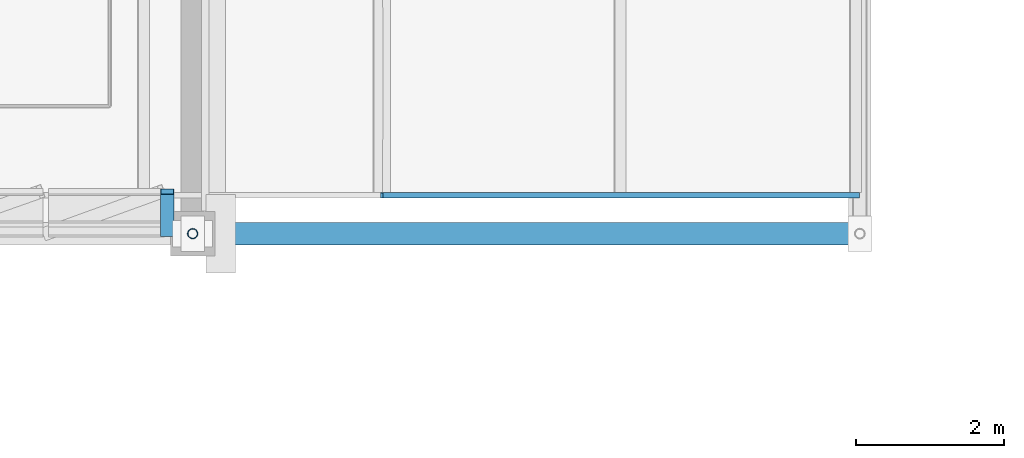
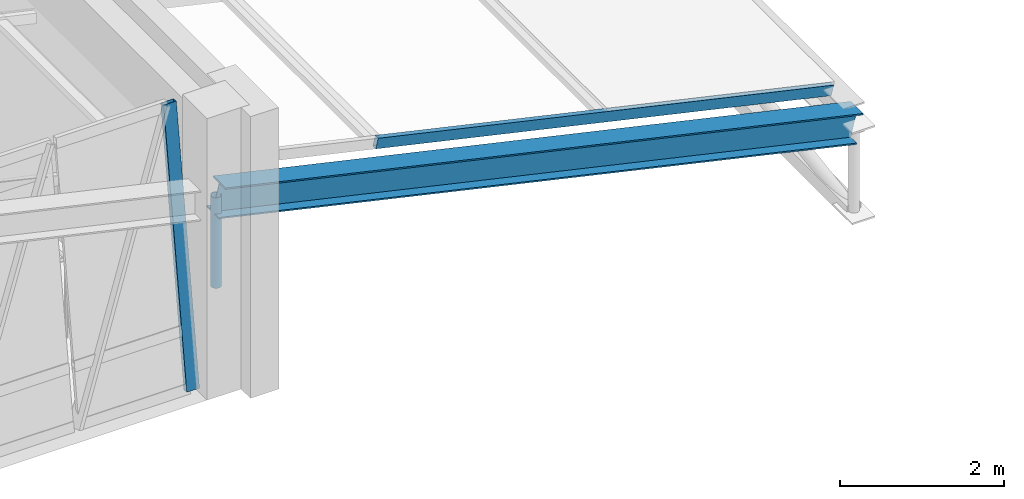
# One storey, part 53 of 130: 4 members, 2 elements without a shape of their own.
"""IFC4 building model written with IfcOpenShell, lengths in metres."""

from ifc_helpers import new_model, si_unit, direction, frame, origin, origin_2d, place, context, subcontext, project, spatial, hollow_rectangle, hollow_circle, i_section, extrude, material, material_profile, profile_set, type_object, element, aggregate, save


model = new_model("IFC4")

# Units and contexts
model_context = context("Model", 3, precision=1e-05, world=origin(), true_north=direction((0.0, 1.0)))
body_context = subcontext(model_context, "Body", "Model", "MODEL_VIEW")
ifc_project = project(units=[si_unit("LENGTHUNIT", "METRE"), si_unit("AREAUNIT", "SQUARE_METRE"), si_unit("VOLUMEUNIT", "CUBIC_METRE"), si_unit("PLANEANGLEUNIT", "RADIAN"), si_unit("MASSUNIT", "GRAM", prefix="KILO")], contexts=[model_context])

# Site, building, storey
site_placement = place(None, origin())
site = spatial("IfcSite", under=ifc_project, at=site_placement, CompositionType="ELEMENT")
building_placement = place(site_placement, origin())
building = spatial("IfcBuilding", under=site, at=building_placement, Name="Lykobir Media Centre", CompositionType="ELEMENT")
storey_placement = place(building_placement, frame((0.0, 0.0, 19.199951171875)))
storey = spatial("IfcBuildingStorey", under=building, at=storey_placement, Name="L04", CompositionType="ELEMENT", Elevation=19.199951171875)

# Member
ifc_material_1 = material(Name="Steel S355", Category="steel")
ifc_material_profile_1 = material_profile(ifc_material_1, hollow_circle(Radius=0.06982421875, WallThickness=0.008056640625, at=origin_2d()), Name="CHS 139.7x8.0")
ifc_profile_set_1 = profile_set([ifc_material_profile_1], Name="Steel S355")
member_type_1 = type_object("IfcMemberType", Name="BR-CHS140", PredefinedType="BRACE", material=ifc_profile_set_1)
member_1_placement = place(storey_placement, frame((72.0, 63.0, 2.780029296875), z_axis=(0.0, 0.0, -1.0), x_axis=(1.0, 0.0, 0.0)))
element("IfcMember", 1, at=member_1_placement, inside=storey, type_object=member_type_1, Name="Diagonal brace MEM2-L04-0720-0630-0220-0720-0630-0485", PredefinedType="BRACE", context=body_context, shape_type="SweptSolid", body=[
    extrude(hollow_circle(Radius=0.06982421875, WallThickness=0.008056640625, at=origin_2d()), origin(), (0.0, 0.0, 1.0), 1.35009765625),
])

# Curtain wall, member
ifc_material_2 = material(Name="Anodized Aluminium AW-6060", Category="aluminium")
curtain_wall_type_1 = type_object("IfcCurtainWallType", Name="CW-V6-CR4", PredefinedType="NOTDEFINED", material=ifc_material_2)
curtain_wall_1_placement = place(storey_placement, origin())
curtain_wall_1 = element("IfcCurtainWall", 2, at=curtain_wall_1_placement, inside=storey, type_object=curtain_wall_type_1, Name="Curtain wall CW2-L04-0162", PredefinedType="NOTDEFINED")
ifc_material_profile_2 = material_profile(ifc_material_2, hollow_rectangle(XDim=0.074951171875, YDim=0.179931640625, WallThickness=0.00390625, at=origin_2d()), Name="ALU MULLION 75x180")
ifc_profile_set_2 = profile_set([ifc_material_profile_2], Name="Anodized Aluminium AW-6060")
member_type_2 = type_object("IfcMemberType", Name="CWM-180", PredefinedType="MULLION", material=ifc_profile_set_2)
member_2_placement = place(storey_placement, frame((71.657470703125, 63.0, 0.0), z_axis=(0.0, 0.142657694389, 0.989772086003), x_axis=(0.0, 0.989772086003, -0.142657694389)))
member_2 = element("IfcMember", 3, at=member_2_placement, type_object=member_type_2, Name="CW2-L04-0162 mullion 1", PredefinedType="MULLION", context=body_context, shape_type="SweptSolid", body=[
    extrude(hollow_rectangle(XDim=0.074951171875, YDim=0.179931640625, WallThickness=0.00390625, at=origin_2d()), origin(), (0.0, 0.0, 1.0), 3.980712890625),
])
aggregate(curtain_wall_1, [member_2])

curtain_wall_type_2 = type_object("IfcCurtainWallType", Name="CW-V6-SKY", PredefinedType="NOTDEFINED", material=ifc_material_2)
curtain_wall_2_placement = place(storey_placement, origin())
curtain_wall_2 = element("IfcCurtainWall", 4, at=curtain_wall_2_placement, inside=storey, type_object=curtain_wall_type_2, Name="Curtain wall CW-V6-SKY01", PredefinedType="NOTDEFINED")
ifc_material_profile_3 = material_profile(ifc_material_2, hollow_rectangle(XDim=0.074951171875, YDim=0.14990234375, WallThickness=0.00341796875, at=origin_2d()), Name="ALU TRANSOM 75x150")
ifc_profile_set_3 = profile_set([ifc_material_profile_3], Name="Anodized Aluminium AW-6060")
member_type_3 = type_object("IfcMemberType", Name="CWT-150", PredefinedType="USERDEFINED", material=ifc_profile_set_3)
member_3_placement = place(storey_placement, frame((80.977783203125, 63.517578125, 0.901611328125), z_axis=(-0.97526330388, 0.0, 0.221046348318), x_axis=(0.0, -1.0, 0.0)))
member_3 = element("IfcMember", 5, at=member_3_placement, type_object=member_type_3, Name="CW-V6-SKY01 rafter transom 13", ObjectType="TRANSOM", PredefinedType="USERDEFINED", context=body_context, shape_type="SweptSolid", body=[
    extrude(hollow_rectangle(XDim=0.074951171875, YDim=0.14990234375, WallThickness=0.00341796875, at=origin_2d()), origin(), (0.0, 0.0, 1.0), 6.591552734375),
])
aggregate(curtain_wall_2, [member_3])

# Member
ifc_material_profile_4 = material_profile(ifc_material_1, i_section(OverallWidth=0.300048828125, OverallDepth=0.43994140625, WebThickness=0.011474609375, FlangeThickness=0.02099609375, at=origin_2d()), Name="HEA 450")
ifc_profile_set_4 = profile_set([ifc_material_profile_4], Name="Steel S355")
member_type_4 = type_object("IfcMemberType", Name="TC-HEA450", PredefinedType="CHORD", material=ifc_profile_set_4)
member_4_placement = place(storey_placement, frame((72.0, 63.0, 2.739990234375), z_axis=(0.975259516727, 0.0, -0.221063056689), x_axis=(0.0, 1.0, 0.0)))
element("IfcMember", 6, at=member_4_placement, inside=storey, type_object=member_type_4, Name="Truss chord MEM2-L04-0720-0630-0219-0810-0630-0425", PredefinedType="CHORD", context=body_context, shape_type="SweptSolid", body=[
    extrude(i_section(OverallWidth=0.300048828125, OverallDepth=0.43994140625, WebThickness=0.011474609375, FlangeThickness=0.02099609375, at=origin_2d()), origin(), (0.0, 0.0, 1.0), 9.228271484375),
])

save(model, "model.ifc")
